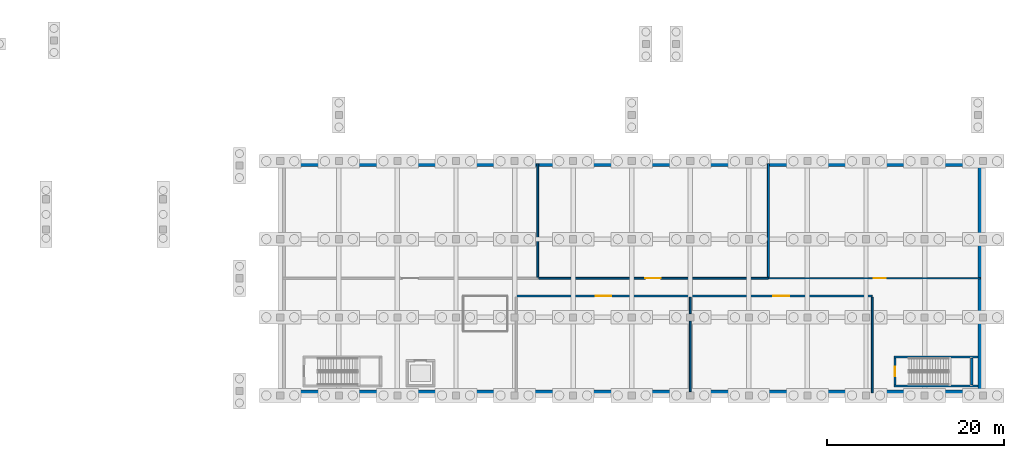
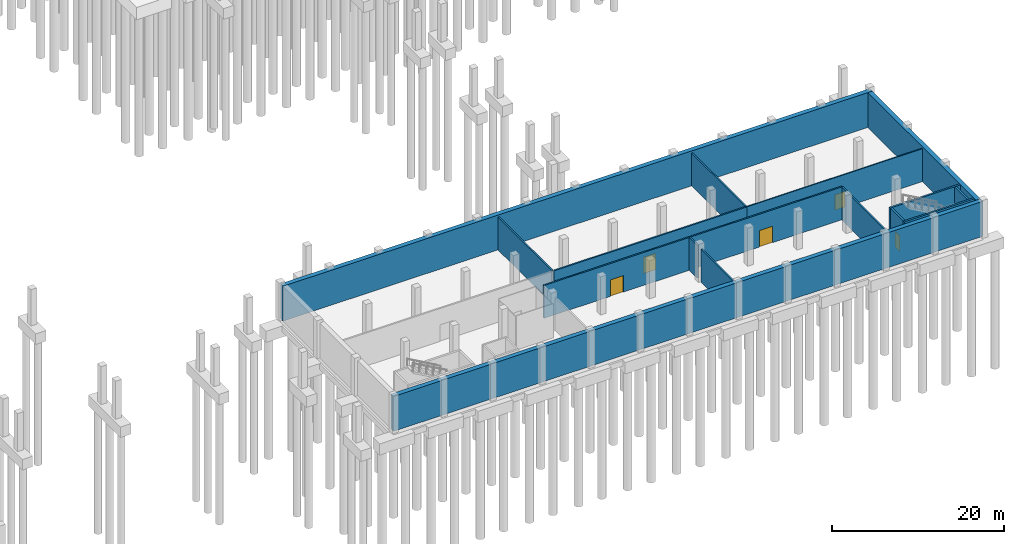
# One storey, part 13 of 23: 16 walls, 5 doors, 5 openings.
"""IFC4 building model written with IfcOpenShell, lengths in metres."""

import ifcopenshell
import ifcopenshell.guid

model = None  # the IFC model being written
_history = None  # IfcOwnerHistory: only IFC2X3 demands one
_inside = {}  # id of a spatial element -> (the spatial element, [elements in it])
_under = {}  # id of a project, library or spatial element -> (it, [spatial elements below it])
_declared = {}  # id of a project -> (the project, [libraries it declares])
_typed = {}  # id of a type object -> (the type object, [elements of that type])
_made_of = {}  # id of a material, layer set ... -> (it, [elements and type objects made of it])


def new_model(schema):
    """Start an empty IFC model of exactly this schema.

    Asked for "IFC4X3", IfcOpenShell would pick the latest addendum, in which some entities
    have other attributes; the version numbers below select the first issue.
    IFC2X3 requires an IfcOwnerHistory on every rooted entity: one is made here for all.
    """
    global model, _history
    if schema == "IFC4X3":
        model = ifcopenshell.file(schema_version=(4, 3, 0, 0))
    else:
        model = ifcopenshell.file(schema=schema)
    _inside.clear()
    _under.clear()
    _declared.clear()
    _typed.clear()
    _made_of.clear()
    _history = None
    if model.schema == "IFC2X3":
        org = make("IfcOrganization", Name="unknown")
        user = make(
            "IfcPersonAndOrganization",
            ThePerson=make("IfcPerson", FamilyName="unknown"),
            TheOrganization=org,
        )
        app = make(
            "IfcApplication",
            ApplicationDeveloper=org,
            Version="unknown",
            ApplicationFullName="unknown",
            ApplicationIdentifier="unknown",
        )
        _history = make(
            "IfcOwnerHistory",
            OwningUser=user,
            OwningApplication=app,
            ChangeAction="ADDED",
            CreationDate=0,
        )
    return model


def make(cls, **values):
    """One entity of the class cls with the attributes given. An attribute that is None is left unset."""
    return model.create_entity(
        cls, **{name: value for name, value in values.items() if value is not None}
    )


def rooted(cls, **values):
    """An entity with a GlobalId (a new one), such as an element, a storey or a relation."""
    return make(cls, GlobalId=ifcopenshell.guid.new(), OwnerHistory=_history, **values)


def si_unit(unit_type, name, prefix=None):
    """IfcSIUnit, for example si_unit("LENGTHUNIT", "METRE", prefix="MILLI")."""
    return make("IfcSIUnit", UnitType=unit_type, Prefix=prefix, Name=name)


def assignment(units):
    """IfcUnitAssignment: the units of a project."""
    return None if units is None else make("IfcUnitAssignment", Units=units)


def point(xyz):
    """IfcCartesianPoint."""
    return None if xyz is None else make("IfcCartesianPoint", Coordinates=xyz)


def direction(xyz):
    """IfcDirection."""
    return None if xyz is None else make("IfcDirection", DirectionRatios=xyz)


def frame(location, z_axis=None, x_axis=None):
    """IfcAxis2Placement3D, a coordinate frame: its origin and axes. An axis left out is left unset."""
    return make(
        "IfcAxis2Placement3D",
        Location=point(location),
        Axis=direction(z_axis),
        RefDirection=direction(x_axis),
    )


def frame_2d(location, x_axis=None):
    """IfcAxis2Placement2D, a coordinate frame in the plane: its origin and x axis."""
    return make(
        "IfcAxis2Placement2D", Location=point(location), RefDirection=direction(x_axis)
    )


def origin():
    """The frame at (0, 0, 0) with its axes left unset."""
    return frame((0.0, 0.0, 0.0))


def place(relative_to, where):
    """IfcLocalPlacement: puts the frame where relative to a parent placement (None: the world)."""
    return make(
        "IfcLocalPlacement", PlacementRelTo=relative_to, RelativePlacement=where
    )


def context(
    kind, dimensions, precision=None, world=None, true_north=None, identifier=None
):
    """IfcGeometricRepresentationContext, for example the 3D "Model" context."""
    return make(
        "IfcGeometricRepresentationContext",
        ContextIdentifier=identifier,
        ContextType=kind,
        CoordinateSpaceDimension=dimensions,
        Precision=precision,
        WorldCoordinateSystem=world,
        TrueNorth=true_north,
    )


def subcontext(parent, identifier, kind, view, scale=None):
    """IfcGeometricRepresentationSubContext, for example "Body" below "Model"."""
    return make(
        "IfcGeometricRepresentationSubContext",
        ContextIdentifier=identifier,
        ContextType=kind,
        ParentContext=parent,
        TargetScale=scale,
        TargetView=view,
    )


def project(units=None, contexts=None):
    """IfcProject with its units and contexts."""
    return rooted(
        "IfcProject",
        Name="project",
        RepresentationContexts=contexts,
        UnitsInContext=assignment(units),
    )


def spatial(cls, under=None, at=None, **own):
    """A site, building, storey or space (cls), placed at a placement, below another one or the project."""
    s = rooted(cls, ObjectPlacement=at, **own)
    if under is not None:
        _under.setdefault(under.id(), (under, []))[1].append(s)
    return s


def profile(cls, at=None, kind="AREA", **sizes):
    """A parametric profile (cls). Its sizes go by their IFC names, for example OverallWidth=200.0."""
    return make(cls, ProfileType=kind, Position=at, **sizes)


def rectangle(**sizes):
    """IfcRectangleProfileDef."""
    return profile("IfcRectangleProfileDef", **sizes)


def extrude(swept, where, along, depth):
    """IfcExtrudedAreaSolid: the profile swept, set in the frame where, extruded along a direction by depth."""
    return make(
        "IfcExtrudedAreaSolid",
        SweptArea=swept,
        Position=where,
        ExtrudedDirection=direction(along),
        Depth=depth,
    )


def shape(context_of_items, identifier, shape_type, items):
    """IfcShapeRepresentation: the items that make up one representation, for example the "Body"."""
    return make(
        "IfcShapeRepresentation",
        ContextOfItems=context_of_items,
        RepresentationIdentifier=identifier,
        RepresentationType=shape_type,
        Items=items,
    )


def material(Name=None, Category=None):
    """IfcMaterial."""
    return make("IfcMaterial", Name=Name, Category=Category)


def layer(
    of_material, thickness, ventilated=None, Name=None, Category=None, Priority=None
):
    """IfcMaterialLayer: one layer of a wall or slab, of a material (None: an air gap)."""
    return make(
        "IfcMaterialLayer",
        Material=of_material,
        LayerThickness=thickness,
        IsVentilated=ventilated,
        Name=Name,
        Category=Category,
        Priority=Priority,
    )


def layer_set(layers, Name=None):
    """IfcMaterialLayerSet."""
    return make("IfcMaterialLayerSet", MaterialLayers=layers, LayerSetName=Name)


def made_of(thing, what):
    """Note that an element or type object is made of a material, layer set ...; save() writes the relation."""
    if what is not None:
        _made_of.setdefault(what.id(), (what, []))[1].append(thing)
    return thing


def type_object(cls, material=None, **own):
    """A type object (cls), such as IfcWallType, which elements share."""
    return made_of(rooted(cls, **own), material)


def element(
    cls,
    number,
    at=None,
    inside=None,
    cuts=None,
    type_object=None,
    material=None,
    context=None,
    identifier="Body",
    shape_type=None,
    held_by="IfcProductDefinitionShape",
    body=None,
    shapes=None,
    **own,
):
    """One element of the class cls, such as IfcWall. Its Tag is "e" and its number.

    at: its placement. inside: the storey or other place that contains it. cuts: it is an
    opening in that element (IfcRelVoidsElement). A single representation is given by context,
    identifier, shape_type and body (its items); several are given by shapes. held_by: the class
    of the entity that holds the representations. save() writes the other relations.
    """
    e = rooted(cls, Tag="e%d" % number, ObjectPlacement=at, **own)
    if body is not None:
        shapes = [shape(context, identifier, shape_type, body)]
    if shapes is not None:
        e.Representation = make(held_by, Representations=shapes)
    if inside is not None:
        _inside.setdefault(inside.id(), (inside, []))[1].append(e)
    if cuts is not None:
        rooted(
            "IfcRelVoidsElement", RelatingBuildingElement=cuts, RelatedOpeningElement=e
        )
    if type_object is not None:
        _typed.setdefault(type_object.id(), (type_object, []))[1].append(e)
    return made_of(e, material)


def fill(opening, filler):
    """IfcRelFillsElement: the door or window that sits in an opening."""
    return rooted(
        "IfcRelFillsElement",
        RelatingOpeningElement=opening,
        RelatedBuildingElement=filler,
    )


def aggregate(whole, parts):
    """IfcRelAggregates: a whole, such as a stair, and the parts it consists of."""
    return rooted("IfcRelAggregates", RelatingObject=whole, RelatedObjects=parts)


def save(model, path):
    """Write the relations noted so far, then the file.

    IfcRelAggregates (storeys below a building ...), IfcRelContainedInSpatialStructure (elements
    in a storey), IfcRelDefinesByType, IfcRelAssociatesMaterial and IfcRelDeclares: one each for
    every whole, place, type object, material and project.
    """
    for whole, parts in _under.values():
        aggregate(whole, parts)
    for where, things in _inside.values():
        rooted(
            "IfcRelContainedInSpatialStructure",
            RelatedElements=things,
            RelatingStructure=where,
        )
    for kind, things in _typed.values():
        rooted("IfcRelDefinesByType", RelatedObjects=things, RelatingType=kind)
    for what, things in _made_of.values():
        rooted("IfcRelAssociatesMaterial", RelatedObjects=things, RelatingMaterial=what)
    for by, libraries in _declared.values():
        rooted("IfcRelDeclares", RelatingContext=by, RelatedDefinitions=libraries)
    model.write(path)


model = new_model("IFC4")

# Units and contexts
model_context = context("Model", 3, precision=1e-05, world=origin(), true_north=direction((0.0, 1.0)))
body_context = subcontext(model_context, "Body", "Model", "MODEL_VIEW")
ifc_project = project(units=[si_unit("LENGTHUNIT", "METRE"), si_unit("AREAUNIT", "SQUARE_METRE"), si_unit("VOLUMEUNIT", "CUBIC_METRE"), si_unit("PLANEANGLEUNIT", "RADIAN"), si_unit("MASSUNIT", "GRAM", prefix="KILO")], contexts=[model_context])

# Site, building, storey
site_placement = place(None, origin())
site = spatial("IfcSite", under=ifc_project, at=site_placement, CompositionType="ELEMENT")
building_placement = place(site_placement, origin())
building = spatial("IfcBuilding", under=site, at=building_placement, Name="Dornvale Research Institute", CompositionType="ELEMENT")
storey_placement = place(building_placement, frame((0.0, 0.0, -5.39990234375)))
storey = spatial("IfcBuildingStorey", under=building, at=storey_placement, Name="B1", CompositionType="ELEMENT", Elevation=-5.39990234375)

# Wall
ifc_material_1 = material(Name="Fire-Rated Gypsum Board on Cold-Formed Steel Studs", Category="steel")
ifc_layer_1 = layer(ifc_material_1, 0.199951171875)
ifc_layer_set_1 = layer_set([ifc_layer_1], Name="Fire-Rated Gypsum Board on Cold-Formed Steel Studs")
wall_type_1 = type_object("IfcWallType", Name="Partition_FireWall_200", PredefinedType="PARTITIONING", material=ifc_layer_set_1)
wall_1_placement = place(storey_placement, frame((128.0, 13.31494140625, 0.0), z_axis=(0.0, 0.0, 1.0), x_axis=(0.0, 1.0, 0.0)))
element("IfcWall", 1, at=wall_1_placement, inside=storey, type_object=wall_type_1, Name="B1 V3 interior partition #51", PredefinedType="PARTITIONING", context=body_context, shape_type="SweptSolid", body=[
    extrude(rectangle(XDim=12.80517578125, YDim=0.199951171875, at=frame_2d((6.402587890625, 0.0))), origin(), (0.0, 0.0, 1.0), 4.664794921875),
])

# Wall, opening, door
wall_2_placement = place(storey_placement, frame((128.114990234375, 13.199951171875, 0.0), z_axis=(0.0, 0.0, 1.0), x_axis=(1.0, 0.0, 0.0)))
wall_2 = element("IfcWall", 2, at=wall_2_placement, inside=storey, type_object=wall_type_1, Name="B1 V3 interior partition #52", PredefinedType="PARTITIONING", context=body_context, shape_type="SweptSolid", body=[
    extrude(rectangle(XDim=25.885009765625, YDim=0.199951171875, at=frame_2d((12.9423828125, 0.0))), origin(), (0.0, 0.0, 1.0), 4.664794921875),
])
opening_1_placement = place(wall_2_placement, frame((12.0048828125, 0.0, 0.0)))
opening_1 = element("IfcOpeningElement", 3, at=opening_1_placement, cuts=wall_2, Name="Opening ID-14", PredefinedType="OPENING", context=body_context, shape_type="SweptSolid", body=[
    extrude(rectangle(XDim=1.760009765625, YDim=2.35009765625, at=frame_2d((0.8798828125, 1.175048828125))), frame((0.0, 0.114990234375, 0.0), z_axis=(0.0, -1.0, 0.0), x_axis=(1.0, 0.0, 0.0)), (0.0, 0.0, 1.0), 0.22998046875),
])
ifc_material_2 = material(Name="Insulated Fire-Rated Hollow Metal Door Assembly")
door_type_1 = type_object("IfcDoorType", Name="Door_Plant_1760x2350", OperationType="SINGLE_SWING_LEFT", PredefinedType="DOOR", material=ifc_material_2)
door_1_placement = place(opening_1_placement, origin())
door_1 = element("IfcDoor", 4, at=door_1_placement, inside=storey, type_object=door_type_1, Name="B1 Ultrapure Water Polishing and Recirculation Plant door #23", OperationType="DOUBLE_DOOR_SINGLE_SWING", OverallHeight=2.35009765625, OverallWidth=1.760009765625, PredefinedType="DOOR", context=body_context, shape_type="SweptSolid", body=[
    extrude(rectangle(XDim=1.760009765625, YDim=2.35009765625, at=frame_2d((0.8798828125, 1.175048828125))), frame((0.0, 0.02490234375, 0.0), z_axis=(0.0, -1.0, 0.0), x_axis=(1.0, 0.0, 0.0)), (0.0, 0.0, 1.0), 0.050048828125),
])
fill(opening_1, door_1)

# Wall
wall_3_placement = place(storey_placement, frame((154.0, 13.31494140625, 0.0), z_axis=(0.0, 0.0, 1.0), x_axis=(0.0, 1.0, 0.0)))
element("IfcWall", 5, at=wall_3_placement, inside=storey, type_object=wall_type_1, Name="B1 V3 interior partition #53", PredefinedType="PARTITIONING", context=body_context, shape_type="SweptSolid", body=[
    extrude(rectangle(XDim=12.80517578125, YDim=0.199951171875, at=frame_2d((6.402587890625, 0.0))), origin(), (0.0, 0.0, 1.0), 4.664794921875),
])

# Wall, opening, door
wall_4_placement = place(storey_placement, frame((125.60009765625, 11.199951171875, 0.0), z_axis=(0.0, 0.0, 1.0), x_axis=(1.0, 0.0, 0.0)))
wall_4 = element("IfcWall", 6, at=wall_4_placement, inside=storey, type_object=wall_type_1, Name="B1 V3 interior partition #55", PredefinedType="PARTITIONING", context=body_context, shape_type="SweptSolid", body=[
    extrude(rectangle(XDim=19.599853515625, YDim=0.199951171875, at=frame_2d((9.7998046875, 0.0))), origin(), (0.0, 0.0, 1.0), 4.664794921875),
])
opening_2_placement = place(wall_4_placement, frame((8.919921875, 0.0, 0.0)))
opening_2 = element("IfcOpeningElement", 7, at=opening_2_placement, cuts=wall_4, Name="Opening ID-14", PredefinedType="OPENING", context=body_context, shape_type="SweptSolid", body=[
    extrude(rectangle(XDim=1.760009765625, YDim=2.35009765625, at=frame_2d((0.8798828125, 1.175048828125))), frame((0.0, 0.114990234375, 0.0), z_axis=(0.0, -1.0, 0.0), x_axis=(1.0, 0.0, 0.0)), (0.0, 0.0, 1.0), 0.22998046875),
])
door_2_placement = place(opening_2_placement, origin())
door_2 = element("IfcDoor", 8, at=door_2_placement, inside=storey, type_object=door_type_1, Name="B1 Acid Scrubber Pump Room door #25", OperationType="DOUBLE_DOOR_SINGLE_SWING", OverallHeight=2.35009765625, OverallWidth=1.760009765625, PredefinedType="DOOR", context=body_context, shape_type="SweptSolid", body=[
    extrude(rectangle(XDim=1.760009765625, YDim=2.35009765625, at=frame_2d((0.8798828125, 1.175048828125))), frame((0.0, 0.02490234375, 0.0), z_axis=(0.0, -1.0, 0.0), x_axis=(1.0, 0.0, 0.0)), (0.0, 0.0, 1.0), 0.050048828125),
])
fill(opening_2, door_2)

# Walls
wall_5_placement = place(storey_placement, frame((145.199951171875, 0.419921875, 0.0), z_axis=(0.0, 0.0, 1.0), x_axis=(0.0, 1.0, 0.0)))
element("IfcWall", 9, at=wall_5_placement, inside=storey, type_object=wall_type_1, Name="B1 V3 interior partition #58", PredefinedType="PARTITIONING", context=body_context, shape_type="SweptSolid", body=[
    extrude(rectangle(XDim=7.9599609375, YDim=0.199951171875, at=frame_2d((3.97998046875, 0.0))), origin(), (0.0, 0.0, 1.0), 4.664794921875),
])
wall_6_placement = place(storey_placement, frame((145.199951171875, 9.219970703125, 0.0), z_axis=(0.0, 0.0, 1.0), x_axis=(0.0, 1.0, 0.0)))
element("IfcWall", 10, at=wall_6_placement, inside=storey, type_object=wall_type_1, Name="B1 V3 interior partition #59", PredefinedType="PARTITIONING", context=body_context, shape_type="SweptSolid", body=[
    extrude(rectangle(XDim=1.864990234375, YDim=0.199951171875, at=frame_2d((0.9326171875, 0.0))), origin(), (0.0, 0.0, 1.0), 4.664794921875),
])

# Wall, opening, door
wall_7_placement = place(storey_placement, frame((145.31494140625, 11.199951171875, 0.0), z_axis=(0.0, 0.0, 1.0), x_axis=(1.0, 0.0, 0.0)))
wall_7 = element("IfcWall", 11, at=wall_7_placement, inside=storey, type_object=wall_type_1, Name="B1 V3 interior partition #60", PredefinedType="PARTITIONING", context=body_context, shape_type="SweptSolid", body=[
    extrude(rectangle(XDim=20.385009765625, YDim=0.199951171875, at=frame_2d((10.1923828125, 0.0))), origin(), (0.0, 0.0, 1.0), 4.664794921875),
])
opening_3_placement = place(wall_7_placement, frame((9.2548828125, 0.0, 0.0)))
opening_3 = element("IfcOpeningElement", 12, at=opening_3_placement, cuts=wall_7, Name="Opening ID-14", PredefinedType="OPENING", context=body_context, shape_type="SweptSolid", body=[
    extrude(rectangle(XDim=1.760009765625, YDim=2.35009765625, at=frame_2d((0.8798828125, 1.175048828125))), frame((0.0, 0.114990234375, 0.0), z_axis=(0.0, -1.0, 0.0), x_axis=(1.0, 0.0, 0.0)), (0.0, 0.0, 1.0), 0.22998046875),
])
door_3_placement = place(opening_3_placement, origin())
door_3 = element("IfcDoor", 13, at=door_3_placement, inside=storey, type_object=door_type_1, Name="B1 High-Purity Nitrogen Plant Room door #26", OperationType="DOUBLE_DOOR_SINGLE_SWING", OverallHeight=2.35009765625, OverallWidth=1.760009765625, PredefinedType="DOOR", context=body_context, shape_type="SweptSolid", body=[
    extrude(rectangle(XDim=1.760009765625, YDim=2.35009765625, at=frame_2d((0.8798828125, 1.175048828125))), frame((0.0, 0.02490234375, 0.0), z_axis=(0.0, -1.0, 0.0), x_axis=(1.0, 0.0, 0.0)), (0.0, 0.0, 1.0), 0.050048828125),
])
fill(opening_3, door_3)

# Wall
wall_8_placement = place(storey_placement, frame((165.699951171875, 0.280029296875, 0.0), z_axis=(0.0, 0.0, 1.0), x_axis=(0.0, 1.0, 0.0)))
element("IfcWall", 14, at=wall_8_placement, inside=storey, type_object=wall_type_1, Name="B1 V3 interior partition #61", PredefinedType="PARTITIONING", context=body_context, shape_type="SweptSolid", body=[
    extrude(rectangle(XDim=10.804931640625, YDim=0.199951171875, at=frame_2d((5.40234375, 0.0))), origin(), (0.0, 0.0, 1.0), 4.664794921875),
])

# Wall, opening, door
ifc_material_3 = material(Name="Acoustic Insulated Double-Stud Laboratory Partition")
ifc_layer_2 = layer(ifc_material_3, 0.14990234375)
ifc_layer_set_2 = layer_set([ifc_layer_2], Name="Acoustic Insulated Double-Stud Laboratory Partition")
wall_type_2 = type_object("IfcWallType", Name="Partition_Lab_150", PredefinedType="PARTITIONING", material=ifc_layer_set_2)
wall_9_placement = place(storey_placement, frame((154.014892578125, 13.199951171875, 0.0), z_axis=(0.0, 0.0, 1.0), x_axis=(1.0, 0.0, 0.0)))
wall_9 = element("IfcWall", 15, at=wall_9_placement, inside=storey, type_object=wall_type_2, Name="B1 V3 interior partition #54", PredefinedType="PARTITIONING", context=body_context, shape_type="SweptSolid", body=[
    extrude(rectangle(XDim=23.905029296875, YDim=0.14990234375, at=frame_2d((11.95263671875, 0.0))), origin(), (0.0, 0.0, 1.0), 4.664794921875),
])
opening_4_placement = place(wall_9_placement, frame((11.864990234375, 0.0, 0.0)))
opening_4 = element("IfcOpeningElement", 16, at=opening_4_placement, cuts=wall_9, Name="Opening ID-15", PredefinedType="OPENING", context=body_context, shape_type="SweptSolid", body=[
    extrude(rectangle(XDim=1.340087890625, YDim=2.199951171875, at=frame_2d((0.669921875, 1.10009765625))), frame((0.0, 0.08984375, 0.0), z_axis=(0.0, -1.0, 0.0), x_axis=(1.0, 0.0, 0.0)), (0.0, 0.0, 1.0), 0.179931640625),
])
ifc_material_4 = material(Name="Insulated Fire-Rated Hollow Metal Door Assembly")
door_type_2 = type_object("IfcDoorType", Name="Door_Storage_1340x2200", OperationType="SINGLE_SWING_LEFT", PredefinedType="DOOR", material=ifc_material_4)
door_4_placement = place(opening_4_placement, origin())
door_4 = element("IfcDoor", 17, at=door_4_placement, inside=storey, type_object=door_type_2, Name="B1 Specialty Wafer and Cleanroom Consumables Vault door #24", OperationType="SINGLE_SWING_LEFT", OverallHeight=2.199951171875, OverallWidth=1.340087890625, PredefinedType="DOOR", context=body_context, shape_type="SweptSolid", body=[
    extrude(rectangle(XDim=1.340087890625, YDim=2.199951171875, at=frame_2d((0.669921875, 1.10009765625))), frame((0.0, 0.02490234375, 0.0), z_axis=(0.0, -1.0, 0.0), x_axis=(1.0, 0.0, 0.0)), (0.0, 0.0, 1.0), 0.050048828125),
])
fill(opening_4, door_4)

# Walls
ifc_material_5 = material(Name="Concrete f'c 40 MPa (C32/40)", Category="concrete")
ifc_layer_3 = layer(ifc_material_5, 0.60009765625)
ifc_layer_set_3 = layer_set([ifc_layer_3], Name="Concrete f'c 40 MPa (C32/40)")
wall_type_3 = type_object("IfcWallType", Name="RetainingWall_RC600_Ext", PredefinedType="USERDEFINED", material=ifc_layer_set_3)
for number, where, z_axis, x_axis, name in (
    (18, (99.0, 0.300048828125, 0.0), (0.0, 0.0, 1.0), (1.0, 0.0, 0.0), "Basement perimeter retaining wall #9"),
    (19, (99.0, 26.10009765625, 0.0), (0.0, 0.0, 1.0), (1.0, 0.0, 0.0), "Basement perimeter retaining wall #10"),
):
    element("IfcWall", number, at=place(storey_placement, frame(where, z_axis=z_axis, x_axis=x_axis)), inside=storey, type_object=wall_type_3, Name=name, ObjectType="RETAININGWALL", PredefinedType="USERDEFINED", context=body_context, shape_type="SweptSolid", body=[
        extrude(rectangle(XDim=79.199951171875, YDim=0.60009765625, at=frame_2d((39.60009765625, 0.0))), origin(), (0.0, 0.0, 1.0), 4.9599609375),
    ])
wall_10_placement = place(storey_placement, frame((177.89990234375, 0.60009765625, 0.0), z_axis=(0.0, 0.0, 1.0), x_axis=(0.0, 1.0, 0.0)))
element("IfcWall", 20, at=wall_10_placement, inside=storey, type_object=wall_type_3, Name="Basement perimeter retaining wall #12", ObjectType="RETAININGWALL", PredefinedType="USERDEFINED", context=body_context, shape_type="SweptSolid", body=[
    extrude(rectangle(XDim=25.199951171875, YDim=0.60009765625, at=frame_2d((12.60009765625, 0.0))), origin(), (0.0, 0.0, 1.0), 4.9599609375),
])
ifc_material_6 = material(Name="Concrete f'c 45 MPa (C35/45)", Category="concrete")
ifc_layer_4 = layer(ifc_material_6, 0.25)
ifc_layer_set_4 = layer_set([ifc_layer_4], Name="Concrete f'c 45 MPa (C35/45)")
wall_type_4 = type_object("IfcWallType", Name="ShearWall_Core_250", PredefinedType="SHEAR", material=ifc_layer_set_4)
for number, where, z_axis, x_axis, name in (
    (21, (168.14990234375, 1.074951171875, 0.0), (0.0, 0.0, 1.0), (1.0, 0.0, 0.0), "B1 ST-6 shaft shear wall south"),
    (22, (168.14990234375, 4.324951171875, 0.0), (0.0, 0.0, 1.0), (1.0, 0.0, 0.0), "B1 ST-6 shaft shear wall north"),
):
    element("IfcWall", number, at=place(storey_placement, frame(where, z_axis=z_axis, x_axis=x_axis)), inside=storey, type_object=wall_type_4, Name=name, PredefinedType="SHEAR", context=body_context, shape_type="SweptSolid", body=[
        extrude(rectangle(XDim=9.4501953125, YDim=0.25, at=frame_2d((4.72509765625, 0.0))), origin(), (0.0, 0.0, 1.0), 4.9599609375),
    ])

# Wall, opening, door
wall_11_placement = place(storey_placement, frame((168.27490234375, 1.199951171875, 0.0), z_axis=(0.0, 0.0, 1.0), x_axis=(0.0, 1.0, 0.0)))
wall_11 = element("IfcWall", 23, at=wall_11_placement, inside=storey, type_object=wall_type_4, Name="B1 ST-6 shaft shear wall west", PredefinedType="SHEAR", context=body_context, shape_type="SweptSolid", body=[
    extrude(rectangle(XDim=3.0, YDim=0.25, at=frame_2d((1.5, 0.0))), origin(), (0.0, 0.0, 1.0), 4.9599609375),
])
opening_5_placement = place(wall_11_placement, frame((0.9599609375, 0.0, 0.0)))
opening_5 = element("IfcOpeningElement", 24, at=opening_5_placement, cuts=wall_11, Name="Opening SD-02", PredefinedType="OPENING", context=body_context, shape_type="SweptSolid", body=[
    extrude(rectangle(XDim=1.080078125, YDim=2.199951171875, at=frame_2d((0.5400390625, 1.10009765625))), frame((0.0, 0.139892578125, 0.0), z_axis=(0.0, -1.0, 0.0), x_axis=(1.0, 0.0, 0.0)), (0.0, 0.0, 1.0), 0.280029296875),
])
ifc_material_7 = material(Name="Insulated Fire-Rated Hollow Metal Door Assembly")
door_type_3 = type_object("IfcDoorType", Name="Door_Stair_1080x2200", OperationType="SINGLE_SWING_LEFT", PredefinedType="DOOR", material=ifc_material_7)
door_5_placement = place(opening_5_placement, origin())
door_5 = element("IfcDoor", 25, at=door_5_placement, inside=storey, type_object=door_type_3, Name="B1 ST-6 exit stair door #46", OperationType="SINGLE_SWING_RIGHT", OverallHeight=2.199951171875, OverallWidth=1.080078125, PredefinedType="DOOR", context=body_context, shape_type="SweptSolid", body=[
    extrude(rectangle(XDim=1.080078125, YDim=2.199951171875, at=frame_2d((0.5400390625, 1.10009765625))), frame((0.0, 0.02490234375, 0.0), z_axis=(0.0, -1.0, 0.0), x_axis=(1.0, 0.0, 0.0)), (0.0, 0.0, 1.0), 0.050048828125),
])
fill(opening_5, door_5)

# Wall
wall_12_placement = place(storey_placement, frame((176.925048828125, 1.199951171875, 0.0), z_axis=(0.0, 0.0, 1.0), x_axis=(0.0, 1.0, 0.0)))
element("IfcWall", 26, at=wall_12_placement, inside=storey, type_object=wall_type_4, Name="B1 ST-6 shaft shear wall east", PredefinedType="SHEAR", context=body_context, shape_type="SweptSolid", body=[
    extrude(rectangle(XDim=3.0, YDim=0.25, at=frame_2d((1.5, 0.0))), origin(), (0.0, 0.0, 1.0), 4.9599609375),
])

save(model, "model.ifc")
